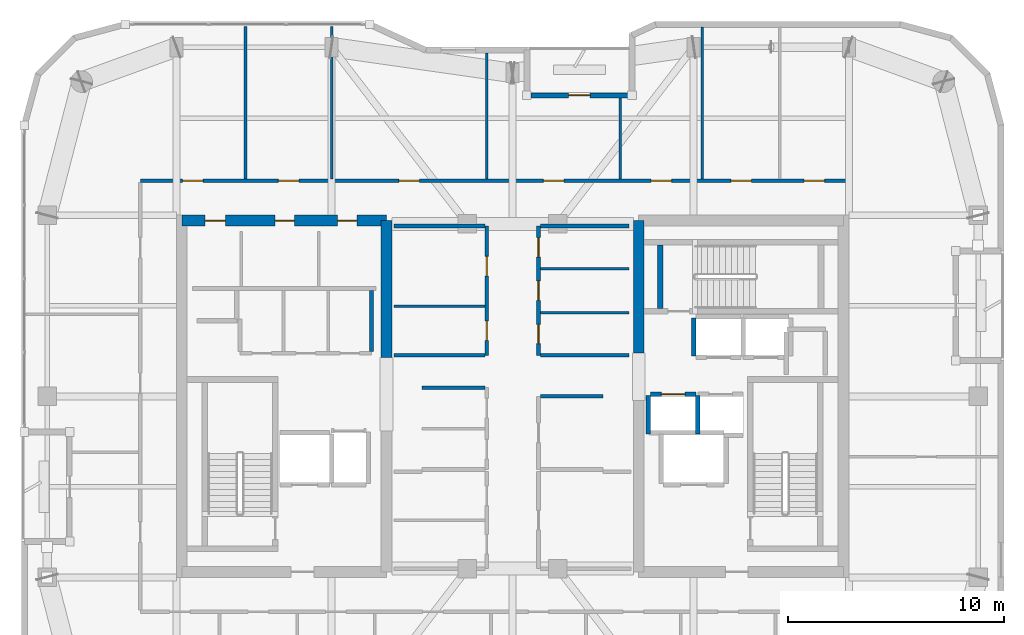
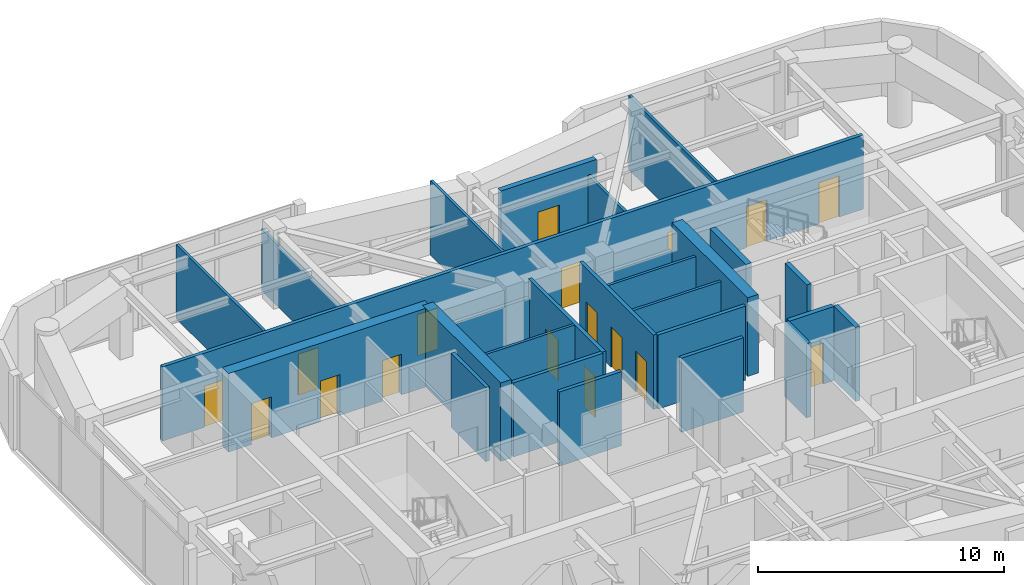
# One storey, part 12 of 16: 27 walls, 17 doors, 17 openings.
"""IFC4 building model written with IfcOpenShell, lengths in metres."""

from ifc_helpers import new_model, si_unit, direction, frame, frame_2d, origin, place, context, subcontext, project, spatial, rectangle, extrude, material, layer, layer_set, type_object, element, fill, save


model = new_model("IFC4")

# Units and contexts
model_context = context("Model", 3, precision=1e-05, world=origin(), true_north=direction((0.0, 1.0)))
body_context = subcontext(model_context, "Body", "Model", "MODEL_VIEW")
ifc_project = project(units=[si_unit("LENGTHUNIT", "METRE"), si_unit("AREAUNIT", "SQUARE_METRE"), si_unit("VOLUMEUNIT", "CUBIC_METRE"), si_unit("PLANEANGLEUNIT", "RADIAN"), si_unit("MASSUNIT", "GRAM", prefix="KILO")], contexts=[model_context])

# Site, building, storey
site_placement = place(None, origin())
site = spatial("IfcSite", under=ifc_project, at=site_placement, CompositionType="ELEMENT")
building_placement = place(site_placement, origin())
building = spatial("IfcBuilding", under=site, at=building_placement, Name="Kiyonajd Concourse Tower", CompositionType="ELEMENT")
storey_placement = place(building_placement, frame((0.0, 0.0, 310.199951171875)))
storey = spatial("IfcBuildingStorey", under=building, at=storey_placement, Name="L78", CompositionType="ELEMENT", Elevation=310.199951171875)

# Wall
ifc_material_1 = material(Name="Concrete C60/75", Category="concrete")
ifc_layer_1 = layer(ifc_material_1, 0.5)
ifc_layer_set_1 = layer_set([ifc_layer_1], Name="Concrete C60/75")
wall_type_1 = type_object("IfcWallType", Name="WL-CORE-500", PredefinedType="SHEAR", material=ifc_layer_set_1)
wall_1_placement = place(storey_placement, frame((42.14990234375, 37.800048828125, 0.0), z_axis=(0.0, 0.0, 1.0), x_axis=(0.0, 1.0, 0.0)))
element("IfcWall", 1, at=wall_1_placement, inside=storey, type_object=wall_type_1, Name="L78 West Core Inner North Shear Wall", PredefinedType="SHEAR", context=body_context, shape_type="SweptSolid", body=[
    extrude(rectangle(XDim=6.349853515625, YDim=0.5, at=frame_2d((3.1748046875, 0.0))), origin(), (0.0, 0.0, 1.0), 3.900146484375),
])

# Wall, openings, doors
wall_2_placement = place(storey_placement, frame((32.64990234375, 44.14990234375, 0.0), z_axis=(0.0, 0.0, 1.0), x_axis=(1.0, 0.0, 0.0)))
wall_2 = element("IfcWall", 2, at=wall_2_placement, inside=storey, type_object=wall_type_1, Name="L78 West Core North Shear Wall", PredefinedType="SHEAR", context=body_context, shape_type="SweptSolid", body=[
    extrude(rectangle(XDim=9.5, YDim=0.5, at=frame_2d((4.75, 0.0))), origin(), (0.0, 0.0, 1.0), 3.900146484375),
])
opening_1_placement = place(wall_2_placement, frame((1.074951171875, 0.0, 0.0)))
opening_1 = element("IfcOpeningElement", 3, at=opening_1_placement, cuts=wall_2, Name="Opening DI1", PredefinedType="OPENING", context=body_context, shape_type="SweptSolid", body=[
    extrude(rectangle(XDim=0.949951171875, YDim=2.0400390625, at=frame_2d((0.47509765625, 1.02001953125))), frame((0.0, 0.260009765625, 0.0), z_axis=(0.0, -1.0, 0.0), x_axis=(1.0, 0.0, 0.0)), (0.0, 0.0, 1.0), 0.52001953125),
])
opening_2_placement = place(wall_2_placement, frame((4.324951171875, 0.0, 0.0)))
opening_2 = element("IfcOpeningElement", 4, at=opening_2_placement, cuts=wall_2, Name="Opening DI2", PredefinedType="OPENING", context=body_context, shape_type="SweptSolid", body=[
    extrude(rectangle(XDim=0.89990234375, YDim=2.02001953125, at=frame_2d((0.449951171875, 1.010009765625))), frame((0.0, 0.260009765625, 0.0), z_axis=(0.0, -1.0, 0.0), x_axis=(1.0, 0.0, 0.0)), (0.0, 0.0, 1.0), 0.52001953125),
])
opening_3_placement = place(wall_2_placement, frame((7.22509765625, 0.0, 0.0)))
opening_3 = element("IfcOpeningElement", 5, at=opening_3_placement, cuts=wall_2, Name="Opening DI2", PredefinedType="OPENING", context=body_context, shape_type="SweptSolid", body=[
    extrude(rectangle(XDim=0.89990234375, YDim=2.02001953125, at=frame_2d((0.449951171875, 1.010009765625))), frame((0.0, 0.260009765625, 0.0), z_axis=(0.0, -1.0, 0.0), x_axis=(1.0, 0.0, 0.0)), (0.0, 0.0, 1.0), 0.52001953125),
])
ifc_material_2 = material(Name="Natural Oak Acoustic Timber Veneer", Category="wood")
door_type_1 = type_object("IfcDoorType", Name="DR-INT-900", OperationType="NOTDEFINED", PredefinedType="DOOR", material=ifc_material_2)
door_1_placement = place(opening_2_placement, origin())
door_1 = element("IfcDoor", 6, at=door_1_placement, inside=storey, type_object=door_type_1, Name="L78 Male Restroom Door", OperationType="SINGLE_SWING_RIGHT", OverallHeight=2.02001953125, OverallWidth=0.89990234375, PredefinedType="DOOR", context=body_context, shape_type="SweptSolid", body=[
    extrude(rectangle(XDim=0.89990234375, YDim=2.02001953125, at=frame_2d((0.449951171875, 1.010009765625))), frame((0.0, 0.02490234375, 0.0), z_axis=(0.0, -1.0, 0.0), x_axis=(1.0, 0.0, 0.0)), (0.0, 0.0, 1.0), 0.050048828125),
])
fill(opening_2, door_1)
door_2_placement = place(opening_3_placement, origin())
door_2 = element("IfcDoor", 7, at=door_2_placement, inside=storey, type_object=door_type_1, Name="L78 Female Restroom Door", OperationType="SINGLE_SWING_LEFT", OverallHeight=2.02001953125, OverallWidth=0.89990234375, PredefinedType="DOOR", context=body_context, shape_type="SweptSolid", body=[
    extrude(rectangle(XDim=0.89990234375, YDim=2.02001953125, at=frame_2d((0.449951171875, 1.010009765625))), frame((0.0, 0.02490234375, 0.0), z_axis=(0.0, -1.0, 0.0), x_axis=(1.0, 0.0, 0.0)), (0.0, 0.0, 1.0), 0.050048828125),
])
fill(opening_3, door_2)
door_type_2 = type_object("IfcDoorType", Name="DR-INT-950", OperationType="NOTDEFINED", PredefinedType="DOOR", material=ifc_material_2)
door_3_placement = place(opening_1_placement, origin())
door_3 = element("IfcDoor", 8, at=door_3_placement, inside=storey, type_object=door_type_2, Name="L78 Single User Accessible WC Door", OperationType="SINGLE_SWING_LEFT", OverallHeight=2.0400390625, OverallWidth=0.949951171875, PredefinedType="DOOR", context=body_context, shape_type="SweptSolid", body=[
    extrude(rectangle(XDim=0.949951171875, YDim=2.0400390625, at=frame_2d((0.47509765625, 1.02001953125))), frame((0.0, 0.02490234375, 0.0), z_axis=(0.0, -1.0, 0.0), x_axis=(1.0, 0.0, 0.0)), (0.0, 0.0, 1.0), 0.050048828125),
])
fill(opening_1, door_3)

# Wall
wall_3_placement = place(storey_placement, frame((53.85009765625, 38.0, 0.0), z_axis=(0.0, 0.0, 1.0), x_axis=(0.0, 1.0, 0.0)))
element("IfcWall", 9, at=wall_3_placement, inside=storey, type_object=wall_type_1, Name="L78 East Core Inner North Shear Wall", PredefinedType="SHEAR", context=body_context, shape_type="SweptSolid", body=[
    extrude(rectangle(XDim=6.14990234375, YDim=0.5, at=frame_2d((3.074951171875, 0.0))), origin(), (0.0, 0.0, 1.0), 3.900146484375),
])

# Wall, opening, door
ifc_material_3 = material(Name="Precast concrete C50/60", Category="concrete")
ifc_layer_2 = layer(ifc_material_3, 0.239990234375)
ifc_layer_set_2 = layer_set([ifc_layer_2], Name="Precast concrete C50/60")
wall_type_2 = type_object("IfcWallType", Name="WL-LOG-240", PredefinedType="SOLIDWALL", material=ifc_layer_set_2)
wall_4_placement = place(storey_placement, frame((48.85498046875, 49.9599609375, 0.0), z_axis=(0.0, 0.0, 1.0), x_axis=(1.0, 0.0, 0.0)))
wall_4 = element("IfcWall", 10, at=wall_4_placement, inside=storey, type_object=wall_type_2, Name="L78 Recessed Loggia Thermal Wall LOG-N", PredefinedType="SOLIDWALL", context=body_context, shape_type="SweptSolid", body=[
    extrude(rectangle(XDim=4.489990234375, YDim=0.239990234375, at=frame_2d((2.2451171875, 0.0))), origin(), (0.0, 0.0, 1.0), 3.679931640625),
])
opening_4_placement = place(wall_4_placement, frame((1.7451171875, 0.0, 0.0)))
opening_4 = element("IfcOpeningElement", 11, at=opening_4_placement, cuts=wall_4, Name="Opening DL1", PredefinedType="OPENING", context=body_context, shape_type="SweptSolid", body=[
    extrude(rectangle(XDim=1.0, YDim=2.02001953125, at=frame_2d((0.5, 1.010009765625))), frame((0.0, 0.1298828125, 0.0), z_axis=(0.0, -1.0, 0.0), x_axis=(1.0, 0.0, 0.0)), (0.0, 0.0, 1.0), 0.260009765625),
])
ifc_material_4 = material(Name="Thermally Broken Anodised Aluminium", Category="aluminium")
door_type_3 = type_object("IfcDoorType", Name="DR-LOG-1000", OperationType="NOTDEFINED", PredefinedType="DOOR", material=ifc_material_4)
door_4_placement = place(opening_4_placement, origin())
door_4 = element("IfcDoor", 12, at=door_4_placement, inside=storey, type_object=door_type_3, Name="L78 Engawa Loggia Access Door LOG-N", OperationType="SINGLE_SWING_RIGHT", OverallHeight=2.02001953125, OverallWidth=1.0, PredefinedType="DOOR", context=body_context, shape_type="SweptSolid", body=[
    extrude(rectangle(XDim=1.0, YDim=2.02001953125, at=frame_2d((0.5, 1.010009765625))), frame((0.0, 0.02490234375, 0.0), z_axis=(0.0, -1.0, 0.0), x_axis=(1.0, 0.0, 0.0)), (0.0, 0.0, 1.0), 0.050048828125),
])
fill(opening_4, door_4)

# Walls
ifc_material_5 = material(Name="Gypsum Board on Cold-Formed Steel Stud", Category="steel")
ifc_layer_3 = layer(ifc_material_5, 0.125)
ifc_layer_set_3 = layer_set([ifc_layer_3], Name="Gypsum Board on Cold-Formed Steel Stud")
wall_type_3 = type_object("IfcWallType", Name="WL-PART-125", PredefinedType="PARTITIONING", material=ifc_layer_set_3)
wall_5_placement = place(storey_placement, frame((42.5, 40.179931640625, 0.0), z_axis=(0.0, 0.0, 1.0), x_axis=(1.0, 0.0, 0.0)))
element("IfcWall", 13, at=wall_5_placement, inside=storey, type_object=wall_type_3, Name="L78 Interior Partition Wall", PredefinedType="PARTITIONING", context=body_context, shape_type="SweptSolid", body=[
    extrude(rectangle(XDim=4.212890625, YDim=0.125, at=frame_2d((2.1064453125, 0.0))), origin(), (0.0, 0.0, 1.0), 3.679931640625),
])
for number, where, z_axis, x_axis, name in (
    (14, (49.287109375, 39.8798828125, 0.0), (0.0, 0.0, 1.0), (1.0, 0.0, 0.0), "L78 Interior Partition Wall"),
    (15, (49.287109375, 41.919921875, 0.0), (0.0, 0.0, 1.0), (1.0, 0.0, 0.0), "L78 Interior Partition Wall"),
):
    element("IfcWall", number, at=place(storey_placement, frame(where, z_axis=z_axis, x_axis=x_axis)), inside=storey, type_object=wall_type_3, Name=name, PredefinedType="PARTITIONING", context=body_context, shape_type="SweptSolid", body=[
        extrude(rectangle(XDim=4.11279296875, YDim=0.125, at=frame_2d((2.056396484375, 0.0))), origin(), (0.0, 0.0, 1.0), 3.679931640625),
    ])
wall_6_placement = place(storey_placement, frame((35.60009765625, 46.0869140625, 0.0), z_axis=(0.0, 0.0, 1.0), x_axis=(0.0, 1.0, 0.0)))
element("IfcWall", 16, at=wall_6_placement, inside=storey, type_object=wall_type_3, Name="L78 Interior Partition Wall", PredefinedType="PARTITIONING", context=body_context, shape_type="SweptSolid", body=[
    extrude(rectangle(XDim=7.078125, YDim=0.125, at=frame_2d((3.5390625, 0.0))), origin(), (0.0, 0.0, 1.0), 3.679931640625),
])
wall_7_placement = place(storey_placement, frame((39.60009765625, 46.0869140625, 0.0), z_axis=(0.0, 0.0, 1.0), x_axis=(0.0, 1.0, 0.0)))
element("IfcWall", 17, at=wall_7_placement, inside=storey, type_object=wall_type_3, Name="L78 Interior Partition Wall", PredefinedType="PARTITIONING", context=body_context, shape_type="SweptSolid", body=[
    extrude(rectangle(XDim=7.078125, YDim=0.125, at=frame_2d((3.5390625, 0.0))), origin(), (0.0, 0.0, 1.0), 3.04296875),
])
wall_8_placement = place(storey_placement, frame((46.800048828125, 46.0869140625, 0.0), z_axis=(0.0, 0.0, 1.0), x_axis=(0.0, 1.0, 0.0)))
element("IfcWall", 18, at=wall_8_placement, inside=storey, type_object=wall_type_3, Name="L78 Interior Partition Wall", PredefinedType="PARTITIONING", context=body_context, shape_type="SweptSolid", body=[
    extrude(rectangle(XDim=5.838134765625, YDim=0.125, at=frame_2d((2.9189453125, 0.0))), origin(), (0.0, 0.0, 1.0), 3.679931640625),
])
wall_9_placement = place(storey_placement, frame((53.0, 46.0869140625, 0.0), z_axis=(0.0, 0.0, 1.0), x_axis=(0.0, 1.0, 0.0)))
element("IfcWall", 19, at=wall_9_placement, inside=storey, type_object=wall_type_3, Name="L78 Interior Partition Wall", PredefinedType="PARTITIONING", context=body_context, shape_type="SweptSolid", body=[
    extrude(rectangle(XDim=3.758056640625, YDim=0.125, at=frame_2d((1.87890625, 0.0))), origin(), (0.0, 0.0, 1.0), 3.04296875),
])
wall_10_placement = place(storey_placement, frame((56.800048828125, 46.0869140625, 0.0), z_axis=(0.0, 0.0, 1.0), x_axis=(0.0, 1.0, 0.0)))
element("IfcWall", 20, at=wall_10_placement, inside=storey, type_object=wall_type_3, Name="L78 Interior Partition Wall", PredefinedType="PARTITIONING", context=body_context, shape_type="SweptSolid", body=[
    extrude(rectangle(XDim=7.0380859375, YDim=0.125, at=frame_2d((3.51904296875, 0.0))), origin(), (0.0, 0.0, 1.0), 3.679931640625),
])

# Wall, opening, door
ifc_layer_4 = layer(ifc_material_5, 0.2099609375)
ifc_layer_set_4 = layer_set([ifc_layer_4], Name="Gypsum Board on Cold-Formed Steel Stud")
wall_type_4 = type_object("IfcWallType", Name="WL-SHAFT-210", PredefinedType="PARTITIONING", material=ifc_layer_set_4)
wall_11_placement = place(storey_placement, frame((54.39990234375, 36.10009765625, 0.0), z_axis=(0.0, 0.0, 1.0), x_axis=(1.0, 0.0, 0.0)))
wall_11 = element("IfcWall", 21, at=wall_11_placement, inside=storey, type_object=wall_type_4, Name="L78 Shaft Enclosure Wall", PredefinedType="PARTITIONING", context=body_context, shape_type="SweptSolid", body=[
    extrude(rectangle(XDim=2.10009765625, YDim=0.2099609375, at=frame_2d((1.050048828125, 0.0))), origin(), (0.0, 0.0, 1.0), 3.679931640625),
])
opening_5_placement = place(wall_11_placement, frame((0.5, 0.0, 0.0)))
opening_5 = element("IfcOpeningElement", 22, at=opening_5_placement, cuts=wall_11, Name="Opening LD1", PredefinedType="OPENING", context=body_context, shape_type="SweptSolid", body=[
    extrude(rectangle(XDim=1.10009765625, YDim=2.0400390625, at=frame_2d((0.550048828125, 1.02001953125))), frame((0.0, 0.114990234375, 0.0), z_axis=(0.0, -1.0, 0.0), x_axis=(1.0, 0.0, 0.0)), (0.0, 0.0, 1.0), 0.22998046875),
])
ifc_material_6 = material(Name="Brushed Stainless Steel Cab Assembly", Category="steel")
door_type_4 = type_object("IfcDoorType", Name="DR-LD-1100", OperationType="DOUBLE_DOOR_SLIDING", PredefinedType="DOOR", material=ifc_material_6)
door_5_placement = place(opening_5_placement, origin())
door_5 = element("IfcDoor", 23, at=door_5_placement, inside=storey, type_object=door_type_4, Name="L78 Lift PL-H1 Sliding Landing Door", OperationType="DOUBLE_DOOR_SLIDING", OverallHeight=2.0400390625, OverallWidth=1.10009765625, PredefinedType="DOOR", context=body_context, shape_type="SweptSolid", body=[
    extrude(rectangle(XDim=1.10009765625, YDim=2.0400390625, at=frame_2d((0.550048828125, 1.02001953125))), frame((0.0, 0.02490234375, 0.0), z_axis=(0.0, -1.0, 0.0), x_axis=(1.0, 0.0, 0.0)), (0.0, 0.0, 1.0), 0.050048828125),
])
fill(opening_5, door_5)

# Walls
for number, where, z_axis, x_axis, name in (
    (24, (54.300048828125, 34.260009765625, 0.0), (0.0, 0.0, 1.0), (0.0, 1.0, 0.0), "L78 Shaft Enclosure Wall"),
    (25, (56.60009765625, 34.260009765625, 0.0), (0.0, 0.0, 1.0), (0.0, 1.0, 0.0), "L78 Shaft Enclosure Wall"),
):
    element("IfcWall", number, at=place(storey_placement, frame(where, z_axis=z_axis, x_axis=x_axis)), inside=storey, type_object=wall_type_4, Name=name, PredefinedType="PARTITIONING", context=body_context, shape_type="SweptSolid", body=[
        extrude(rectangle(XDim=1.780029296875, YDim=0.2099609375, at=frame_2d((0.89013671875, 0.0))), origin(), (0.0, 0.0, 1.0), 3.679931640625),
    ])
wall_12_placement = place(storey_placement, frame((56.39990234375, 37.860107421875, 0.0), z_axis=(0.0, 0.0, 1.0), x_axis=(0.0, 1.0, 0.0)))
element("IfcWall", 26, at=wall_12_placement, inside=storey, type_object=wall_type_4, Name="L78 Shaft Enclosure Wall", PredefinedType="PARTITIONING", context=body_context, shape_type="SweptSolid", body=[
    extrude(rectangle(XDim=1.77978515625, YDim=0.2099609375, at=frame_2d((0.889892578125, 0.0))), origin(), (0.0, 0.0, 1.0), 3.679931640625),
])
ifc_layer_5 = layer(ifc_material_5, 0.169921875)
ifc_layer_set_5 = layer_set([ifc_layer_5], Name="Gypsum Board on Cold-Formed Steel Stud")
wall_type_5 = type_object("IfcWallType", Name="WL-SMK-170", PredefinedType="PARTITIONING", material=ifc_layer_set_5)
wall_13_placement = place(storey_placement, frame((41.449951171875, 38.0869140625, 0.0), z_axis=(0.0, 0.0, 1.0), x_axis=(0.0, 1.0, 0.0)))
element("IfcWall", 27, at=wall_13_placement, inside=storey, type_object=wall_type_5, Name="L78 Interior Partition Wall", PredefinedType="PARTITIONING", context=body_context, shape_type="SweptSolid", body=[
    extrude(rectangle(XDim=2.81298828125, YDim=0.169921875, at=frame_2d((1.406494140625, 0.0))), origin(), (0.0, 0.0, 1.0), 3.679931640625),
])
for number, where, z_axis, x_axis, name in (
    (28, (43.800048828125, 36.39990234375, 0.0), (0.0, 0.0, 1.0), (1.0, 0.0, 0.0), "L78 Interior Partition Wall"),
    (29, (49.287109375, 36.0, 0.0), (0.0, 0.0, 1.0), (1.0, 0.0, 0.0), "L78 Interior Partition Wall"),
):
    element("IfcWall", number, at=place(storey_placement, frame(where, z_axis=z_axis, x_axis=x_axis)), inside=storey, type_object=wall_type_5, Name=name, PredefinedType="PARTITIONING", context=body_context, shape_type="SweptSolid", body=[
        extrude(rectangle(XDim=2.912841796875, YDim=0.169921875, at=frame_2d((1.45654296875, 0.0))), origin(), (0.0, 0.0, 1.0), 3.679931640625),
    ])

# Wall, openings, doors
wall_14_placement = place(storey_placement, frame((46.800048828125, 37.89990234375, 0.0), z_axis=(0.0, 0.0, 1.0), x_axis=(0.0, 1.0, 0.0)))
wall_14 = element("IfcWall", 30, at=wall_14_placement, inside=storey, type_object=wall_type_5, Name="L78 Interior Partition Wall", PredefinedType="PARTITIONING", context=body_context, shape_type="SweptSolid", body=[
    extrude(rectangle(XDim=6.0, YDim=0.169921875, at=frame_2d((3.0, 0.0))), origin(), (0.0, 0.0, 1.0), 3.679931640625),
])
opening_6_placement = place(wall_14_placement, frame((0.68994140625, 0.0, 0.0)))
opening_6 = element("IfcOpeningElement", 31, at=opening_6_placement, cuts=wall_14, Name="Opening DI2", PredefinedType="OPENING", context=body_context, shape_type="SweptSolid", body=[
    extrude(rectangle(XDim=0.89990234375, YDim=2.02001953125, at=frame_2d((0.449951171875, 1.010009765625))), frame((0.0, 0.094970703125, 0.0), z_axis=(0.0, -1.0, 0.0), x_axis=(1.0, 0.0, 0.0)), (0.0, 0.0, 1.0), 0.18994140625),
])
opening_7_placement = place(wall_14_placement, frame((3.68994140625, 0.0, 0.0)))
opening_7 = element("IfcOpeningElement", 32, at=opening_7_placement, cuts=wall_14, Name="Opening DI2", PredefinedType="OPENING", context=body_context, shape_type="SweptSolid", body=[
    extrude(rectangle(XDim=0.89990234375, YDim=2.02001953125, at=frame_2d((0.449951171875, 1.010009765625))), frame((0.0, 0.094970703125, 0.0), z_axis=(0.0, -1.0, 0.0), x_axis=(1.0, 0.0, 0.0)), (0.0, 0.0, 1.0), 0.18994140625),
])
door_6_placement = place(opening_6_placement, origin())
door_6 = element("IfcDoor", 33, at=door_6_placement, inside=storey, type_object=door_type_1, Name="L78 Interior Door", OperationType="SINGLE_SWING_RIGHT", OverallHeight=2.02001953125, OverallWidth=0.89990234375, PredefinedType="DOOR", context=body_context, shape_type="SweptSolid", body=[
    extrude(rectangle(XDim=0.89990234375, YDim=2.02001953125, at=frame_2d((0.449951171875, 1.010009765625))), frame((0.0, 0.02490234375, 0.0), z_axis=(0.0, -1.0, 0.0), x_axis=(1.0, 0.0, 0.0)), (0.0, 0.0, 1.0), 0.050048828125),
])
fill(opening_6, door_6)
door_7_placement = place(opening_7_placement, origin())
door_7 = element("IfcDoor", 34, at=door_7_placement, inside=storey, type_object=door_type_1, Name="L78 Interior Door", OperationType="SINGLE_SWING_LEFT", OverallHeight=2.02001953125, OverallWidth=0.89990234375, PredefinedType="DOOR", context=body_context, shape_type="SweptSolid", body=[
    extrude(rectangle(XDim=0.89990234375, YDim=2.02001953125, at=frame_2d((0.449951171875, 1.010009765625))), frame((0.0, 0.02490234375, 0.0), z_axis=(0.0, -1.0, 0.0), x_axis=(1.0, 0.0, 0.0)), (0.0, 0.0, 1.0), 0.050048828125),
])
fill(opening_7, door_7)

# Walls
wall_15_placement = place(storey_placement, frame((42.5, 37.89990234375, 0.0), z_axis=(0.0, 0.0, 1.0), x_axis=(1.0, 0.0, 0.0)))
element("IfcWall", 35, at=wall_15_placement, inside=storey, type_object=wall_type_5, Name="L78 Interior Partition Wall", PredefinedType="PARTITIONING", context=body_context, shape_type="SweptSolid", body=[
    extrude(rectangle(XDim=4.212890625, YDim=0.169921875, at=frame_2d((2.1064453125, 0.0))), origin(), (0.0, 0.0, 1.0), 3.679931640625),
])
wall_16_placement = place(storey_placement, frame((42.5, 43.89990234375, 0.0), z_axis=(0.0, 0.0, 1.0), x_axis=(1.0, 0.0, 0.0)))
element("IfcWall", 36, at=wall_16_placement, inside=storey, type_object=wall_type_5, Name="L78 Interior Partition Wall", PredefinedType="PARTITIONING", context=body_context, shape_type="SweptSolid", body=[
    extrude(rectangle(XDim=4.212890625, YDim=0.169921875, at=frame_2d((2.1064453125, 0.0))), origin(), (0.0, 0.0, 1.0), 2.76513671875),
])

# Wall, openings, doors
wall_17_placement = place(storey_placement, frame((49.199951171875, 37.89990234375, 0.0), z_axis=(0.0, 0.0, 1.0), x_axis=(0.0, 1.0, 0.0)))
wall_17 = element("IfcWall", 37, at=wall_17_placement, inside=storey, type_object=wall_type_5, Name="L78 Interior Partition Wall", PredefinedType="PARTITIONING", context=body_context, shape_type="SweptSolid", body=[
    extrude(rectangle(XDim=6.0, YDim=0.169921875, at=frame_2d((3.0, 0.0))), origin(), (0.0, 0.0, 1.0), 3.679931640625),
])
opening_8_placement = place(wall_17_placement, frame((0.5400390625, 0.0, 0.0)))
opening_8 = element("IfcOpeningElement", 38, at=opening_8_placement, cuts=wall_17, Name="Opening DI2", PredefinedType="OPENING", context=body_context, shape_type="SweptSolid", body=[
    extrude(rectangle(XDim=0.89990234375, YDim=2.02001953125, at=frame_2d((0.449951171875, 1.010009765625))), frame((0.0, 0.094970703125, 0.0), z_axis=(0.0, -1.0, 0.0), x_axis=(1.0, 0.0, 0.0)), (0.0, 0.0, 1.0), 0.18994140625),
])
opening_9_placement = place(wall_17_placement, frame((2.550048828125, 0.0, 0.0)))
opening_9 = element("IfcOpeningElement", 39, at=opening_9_placement, cuts=wall_17, Name="Opening DI2", PredefinedType="OPENING", context=body_context, shape_type="SweptSolid", body=[
    extrude(rectangle(XDim=0.89990234375, YDim=2.02001953125, at=frame_2d((0.449951171875, 1.010009765625))), frame((0.0, 0.094970703125, 0.0), z_axis=(0.0, -1.0, 0.0), x_axis=(1.0, 0.0, 0.0)), (0.0, 0.0, 1.0), 0.18994140625),
])
opening_10_placement = place(wall_17_placement, frame((4.56005859375, 0.0, 0.0)))
opening_10 = element("IfcOpeningElement", 40, at=opening_10_placement, cuts=wall_17, Name="Opening DI2", PredefinedType="OPENING", context=body_context, shape_type="SweptSolid", body=[
    extrude(rectangle(XDim=0.89990234375, YDim=2.02001953125, at=frame_2d((0.449951171875, 1.010009765625))), frame((0.0, 0.094970703125, 0.0), z_axis=(0.0, -1.0, 0.0), x_axis=(1.0, 0.0, 0.0)), (0.0, 0.0, 1.0), 0.18994140625),
])
door_8_placement = place(opening_8_placement, origin())
door_8 = element("IfcDoor", 41, at=door_8_placement, inside=storey, type_object=door_type_1, Name="L78 Interior Door", OperationType="SINGLE_SWING_RIGHT", OverallHeight=2.02001953125, OverallWidth=0.89990234375, PredefinedType="DOOR", context=body_context, shape_type="SweptSolid", body=[
    extrude(rectangle(XDim=0.89990234375, YDim=2.02001953125, at=frame_2d((0.449951171875, 1.010009765625))), frame((0.0, 0.02490234375, 0.0), z_axis=(0.0, -1.0, 0.0), x_axis=(1.0, 0.0, 0.0)), (0.0, 0.0, 1.0), 0.050048828125),
])
fill(opening_8, door_8)
door_9_placement = place(opening_9_placement, origin())
door_9 = element("IfcDoor", 42, at=door_9_placement, inside=storey, type_object=door_type_1, Name="L78 Interior Door", OperationType="SINGLE_SWING_LEFT", OverallHeight=2.02001953125, OverallWidth=0.89990234375, PredefinedType="DOOR", context=body_context, shape_type="SweptSolid", body=[
    extrude(rectangle(XDim=0.89990234375, YDim=2.02001953125, at=frame_2d((0.449951171875, 1.010009765625))), frame((0.0, 0.02490234375, 0.0), z_axis=(0.0, -1.0, 0.0), x_axis=(1.0, 0.0, 0.0)), (0.0, 0.0, 1.0), 0.050048828125),
])
fill(opening_9, door_9)
door_10_placement = place(opening_10_placement, origin())
door_10 = element("IfcDoor", 43, at=door_10_placement, inside=storey, type_object=door_type_1, Name="L78 Interior Door", OperationType="SINGLE_SWING_RIGHT", OverallHeight=2.02001953125, OverallWidth=0.89990234375, PredefinedType="DOOR", context=body_context, shape_type="SweptSolid", body=[
    extrude(rectangle(XDim=0.89990234375, YDim=2.02001953125, at=frame_2d((0.449951171875, 1.010009765625))), frame((0.0, 0.02490234375, 0.0), z_axis=(0.0, -1.0, 0.0), x_axis=(1.0, 0.0, 0.0)), (0.0, 0.0, 1.0), 0.050048828125),
])
fill(opening_10, door_10)

# Walls
wall_18_placement = place(storey_placement, frame((49.287109375, 37.89990234375, 0.0), z_axis=(0.0, 0.0, 1.0), x_axis=(1.0, 0.0, 0.0)))
element("IfcWall", 44, at=wall_18_placement, inside=storey, type_object=wall_type_5, Name="L78 Interior Partition Wall", PredefinedType="PARTITIONING", context=body_context, shape_type="SweptSolid", body=[
    extrude(rectangle(XDim=4.11279296875, YDim=0.169921875, at=frame_2d((2.056396484375, 0.0))), origin(), (0.0, 0.0, 1.0), 3.679931640625),
])
wall_19_placement = place(storey_placement, frame((49.287109375, 43.89990234375, 0.0), z_axis=(0.0, 0.0, 1.0), x_axis=(1.0, 0.0, 0.0)))
element("IfcWall", 45, at=wall_19_placement, inside=storey, type_object=wall_type_5, Name="L78 Interior Partition Wall", PredefinedType="PARTITIONING", context=body_context, shape_type="SweptSolid", body=[
    extrude(rectangle(XDim=4.11279296875, YDim=0.169921875, at=frame_2d((2.056396484375, 0.0))), origin(), (0.0, 0.0, 1.0), 2.76513671875),
])

# Wall, openings, doors
wall_20_placement = place(storey_placement, frame((30.72509765625, 46.0, 0.0), z_axis=(0.0, 0.0, 1.0), x_axis=(1.0, 0.0, 0.0)))
wall_20 = element("IfcWall", 46, at=wall_20_placement, inside=storey, type_object=wall_type_5, Name="L78 Interior Partition Wall", PredefinedType="PARTITIONING", context=body_context, shape_type="SweptSolid", body=[
    extrude(rectangle(XDim=32.875, YDim=0.169921875, at=frame_2d((16.4375, 0.0))), origin(), (0.0, 0.0, 1.0), 3.679931640625),
])
opening_11_placement = place(wall_20_placement, frame((1.9619140625, 0.0, 0.0)))
opening_11 = element("IfcOpeningElement", 47, at=opening_11_placement, cuts=wall_20, Name="Opening DI1", PredefinedType="OPENING", context=body_context, shape_type="SweptSolid", body=[
    extrude(rectangle(XDim=0.949951171875, YDim=2.0400390625, at=frame_2d((0.47509765625, 1.02001953125))), frame((0.0, 0.094970703125, 0.0), z_axis=(0.0, -1.0, 0.0), x_axis=(1.0, 0.0, 0.0)), (0.0, 0.0, 1.0), 0.18994140625),
])
opening_12_placement = place(wall_20_placement, frame((6.39990234375, 0.0, 0.0)))
opening_12 = element("IfcOpeningElement", 48, at=opening_12_placement, cuts=wall_20, Name="Opening DI1", PredefinedType="OPENING", context=body_context, shape_type="SweptSolid", body=[
    extrude(rectangle(XDim=0.949951171875, YDim=2.0400390625, at=frame_2d((0.47509765625, 1.02001953125))), frame((0.0, 0.094970703125, 0.0), z_axis=(0.0, -1.0, 0.0), x_axis=(1.0, 0.0, 0.0)), (0.0, 0.0, 1.0), 0.18994140625),
])
opening_13_placement = place(wall_20_placement, frame((12.0, 0.0, 0.0)))
opening_13 = element("IfcOpeningElement", 49, at=opening_13_placement, cuts=wall_20, Name="Opening DI1", PredefinedType="OPENING", context=body_context, shape_type="SweptSolid", body=[
    extrude(rectangle(XDim=0.949951171875, YDim=2.0400390625, at=frame_2d((0.47509765625, 1.02001953125))), frame((0.0, 0.094970703125, 0.0), z_axis=(0.0, -1.0, 0.0), x_axis=(1.0, 0.0, 0.0)), (0.0, 0.0, 1.0), 0.18994140625),
])
opening_14_placement = place(wall_20_placement, frame((18.699951171875, 0.0, 0.0)))
opening_14 = element("IfcOpeningElement", 50, at=opening_14_placement, cuts=wall_20, Name="Opening DI1", PredefinedType="OPENING", context=body_context, shape_type="SweptSolid", body=[
    extrude(rectangle(XDim=0.949951171875, YDim=2.0400390625, at=frame_2d((0.47509765625, 1.02001953125))), frame((0.0, 0.094970703125, 0.0), z_axis=(0.0, -1.0, 0.0), x_axis=(1.0, 0.0, 0.0)), (0.0, 0.0, 1.0), 0.18994140625),
])
opening_15_placement = place(wall_20_placement, frame((23.699951171875, 0.0, 0.0)))
opening_15 = element("IfcOpeningElement", 51, at=opening_15_placement, cuts=wall_20, Name="Opening DI1", PredefinedType="OPENING", context=body_context, shape_type="SweptSolid", body=[
    extrude(rectangle(XDim=0.949951171875, YDim=2.0400390625, at=frame_2d((0.47509765625, 1.02001953125))), frame((0.0, 0.094970703125, 0.0), z_axis=(0.0, -1.0, 0.0), x_axis=(1.0, 0.0, 0.0)), (0.0, 0.0, 1.0), 0.18994140625),
])
opening_16_placement = place(wall_20_placement, frame((27.39990234375, 0.0, 0.0)))
opening_16 = element("IfcOpeningElement", 52, at=opening_16_placement, cuts=wall_20, Name="Opening DI1", PredefinedType="OPENING", context=body_context, shape_type="SweptSolid", body=[
    extrude(rectangle(XDim=0.949951171875, YDim=2.0400390625, at=frame_2d((0.47509765625, 1.02001953125))), frame((0.0, 0.094970703125, 0.0), z_axis=(0.0, -1.0, 0.0), x_axis=(1.0, 0.0, 0.0)), (0.0, 0.0, 1.0), 0.18994140625),
])
opening_17_placement = place(wall_20_placement, frame((30.800048828125, 0.0, 0.0)))
opening_17 = element("IfcOpeningElement", 53, at=opening_17_placement, cuts=wall_20, Name="Opening DI1", PredefinedType="OPENING", context=body_context, shape_type="SweptSolid", body=[
    extrude(rectangle(XDim=0.949951171875, YDim=2.0400390625, at=frame_2d((0.47509765625, 1.02001953125))), frame((0.0, 0.094970703125, 0.0), z_axis=(0.0, -1.0, 0.0), x_axis=(1.0, 0.0, 0.0)), (0.0, 0.0, 1.0), 0.18994140625),
])
door_11_placement = place(opening_11_placement, origin())
door_11 = element("IfcDoor", 54, at=door_11_placement, inside=storey, type_object=door_type_2, Name="L78 Interior Door", OperationType="SINGLE_SWING_RIGHT", OverallHeight=2.0400390625, OverallWidth=0.949951171875, PredefinedType="DOOR", context=body_context, shape_type="SweptSolid", body=[
    extrude(rectangle(XDim=0.949951171875, YDim=2.0400390625, at=frame_2d((0.47509765625, 1.02001953125))), frame((0.0, 0.02490234375, 0.0), z_axis=(0.0, -1.0, 0.0), x_axis=(1.0, 0.0, 0.0)), (0.0, 0.0, 1.0), 0.050048828125),
])
fill(opening_11, door_11)
door_12_placement = place(opening_12_placement, origin())
door_12 = element("IfcDoor", 55, at=door_12_placement, inside=storey, type_object=door_type_2, Name="L78 Interior Door", OperationType="SINGLE_SWING_LEFT", OverallHeight=2.0400390625, OverallWidth=0.949951171875, PredefinedType="DOOR", context=body_context, shape_type="SweptSolid", body=[
    extrude(rectangle(XDim=0.949951171875, YDim=2.0400390625, at=frame_2d((0.47509765625, 1.02001953125))), frame((0.0, 0.02490234375, 0.0), z_axis=(0.0, -1.0, 0.0), x_axis=(1.0, 0.0, 0.0)), (0.0, 0.0, 1.0), 0.050048828125),
])
fill(opening_12, door_12)
door_13_placement = place(opening_13_placement, origin())
door_13 = element("IfcDoor", 56, at=door_13_placement, inside=storey, type_object=door_type_2, Name="L78 Interior Door", OperationType="SINGLE_SWING_RIGHT", OverallHeight=2.0400390625, OverallWidth=0.949951171875, PredefinedType="DOOR", context=body_context, shape_type="SweptSolid", body=[
    extrude(rectangle(XDim=0.949951171875, YDim=2.0400390625, at=frame_2d((0.47509765625, 1.02001953125))), frame((0.0, 0.02490234375, 0.0), z_axis=(0.0, -1.0, 0.0), x_axis=(1.0, 0.0, 0.0)), (0.0, 0.0, 1.0), 0.050048828125),
])
fill(opening_13, door_13)
door_14_placement = place(opening_14_placement, origin())
door_14 = element("IfcDoor", 57, at=door_14_placement, inside=storey, type_object=door_type_2, Name="L78 Interior Door", OperationType="SINGLE_SWING_LEFT", OverallHeight=2.0400390625, OverallWidth=0.949951171875, PredefinedType="DOOR", context=body_context, shape_type="SweptSolid", body=[
    extrude(rectangle(XDim=0.949951171875, YDim=2.0400390625, at=frame_2d((0.47509765625, 1.02001953125))), frame((0.0, 0.02490234375, 0.0), z_axis=(0.0, -1.0, 0.0), x_axis=(1.0, 0.0, 0.0)), (0.0, 0.0, 1.0), 0.050048828125),
])
fill(opening_14, door_14)
door_15_placement = place(opening_15_placement, origin())
door_15 = element("IfcDoor", 58, at=door_15_placement, inside=storey, type_object=door_type_2, Name="L78 Interior Door", OperationType="SINGLE_SWING_RIGHT", OverallHeight=2.0400390625, OverallWidth=0.949951171875, PredefinedType="DOOR", context=body_context, shape_type="SweptSolid", body=[
    extrude(rectangle(XDim=0.949951171875, YDim=2.0400390625, at=frame_2d((0.47509765625, 1.02001953125))), frame((0.0, 0.02490234375, 0.0), z_axis=(0.0, -1.0, 0.0), x_axis=(1.0, 0.0, 0.0)), (0.0, 0.0, 1.0), 0.050048828125),
])
fill(opening_15, door_15)
door_16_placement = place(opening_16_placement, origin())
door_16 = element("IfcDoor", 59, at=door_16_placement, inside=storey, type_object=door_type_2, Name="L78 Interior Door", OperationType="SINGLE_SWING_LEFT", OverallHeight=2.0400390625, OverallWidth=0.949951171875, PredefinedType="DOOR", context=body_context, shape_type="SweptSolid", body=[
    extrude(rectangle(XDim=0.949951171875, YDim=2.0400390625, at=frame_2d((0.47509765625, 1.02001953125))), frame((0.0, 0.02490234375, 0.0), z_axis=(0.0, -1.0, 0.0), x_axis=(1.0, 0.0, 0.0)), (0.0, 0.0, 1.0), 0.050048828125),
])
fill(opening_16, door_16)
door_17_placement = place(opening_17_placement, origin())
door_17 = element("IfcDoor", 60, at=door_17_placement, inside=storey, type_object=door_type_2, Name="L78 Interior Door", OperationType="SINGLE_SWING_RIGHT", OverallHeight=2.0400390625, OverallWidth=0.949951171875, PredefinedType="DOOR", context=body_context, shape_type="SweptSolid", body=[
    extrude(rectangle(XDim=0.949951171875, YDim=2.0400390625, at=frame_2d((0.47509765625, 1.02001953125))), frame((0.0, 0.02490234375, 0.0), z_axis=(0.0, -1.0, 0.0), x_axis=(1.0, 0.0, 0.0)), (0.0, 0.0, 1.0), 0.050048828125),
])
fill(opening_17, door_17)

# Wall
ifc_material_7 = material(Name="Concrete C50/60", Category="concrete")
ifc_layer_6 = layer(ifc_material_7, 0.260009765625)
ifc_layer_set_6 = layer_set([ifc_layer_6], Name="Concrete C50/60")
wall_type_6 = type_object("IfcWallType", Name="WL-STAIR-260", PredefinedType="SHEAR", material=ifc_layer_set_6)
wall_21_placement = place(storey_placement, frame((54.85009765625, 40.080078125, 0.0), z_axis=(0.0, 0.0, 1.0), x_axis=(0.0, 1.0, 0.0)))
element("IfcWall", 61, at=wall_21_placement, inside=storey, type_object=wall_type_6, Name="L78 Stair ST3 Structural West Wall", PredefinedType="SHEAR", context=body_context, shape_type="SweptSolid", body=[
    extrude(rectangle(XDim=2.93994140625, YDim=0.260009765625, at=frame_2d((1.469970703125, 0.0))), origin(), (0.0, 0.0, 1.0), 3.900146484375),
])

save(model, "model.ifc")
